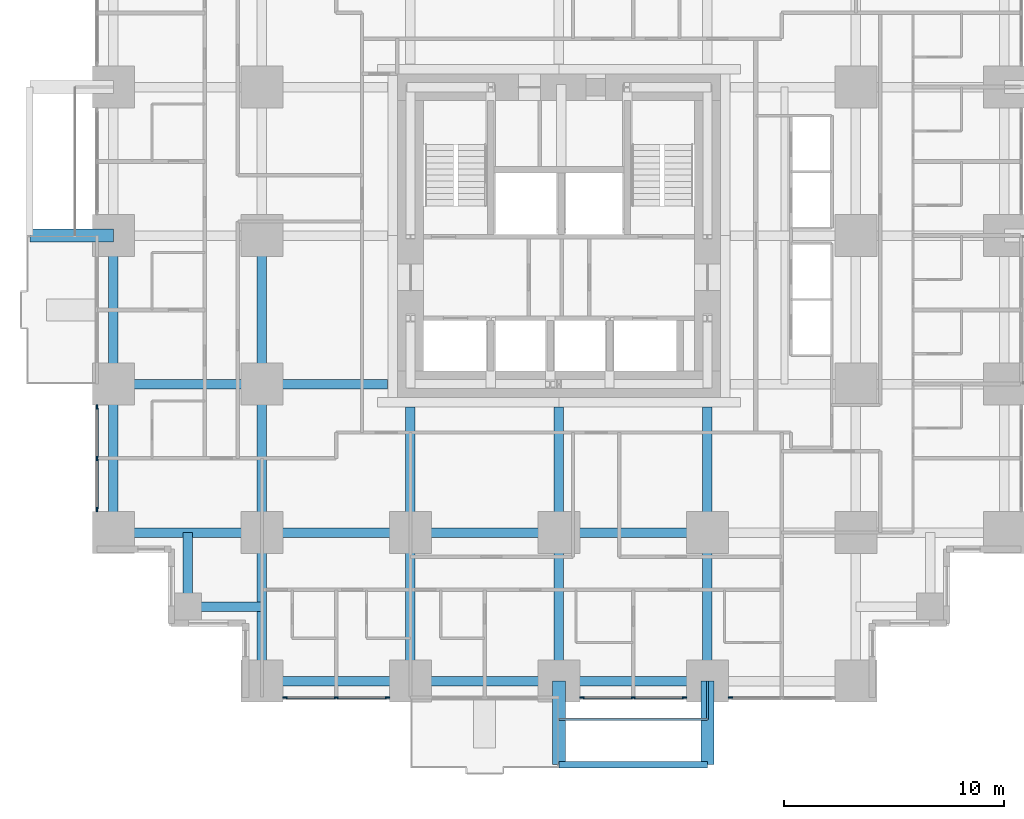
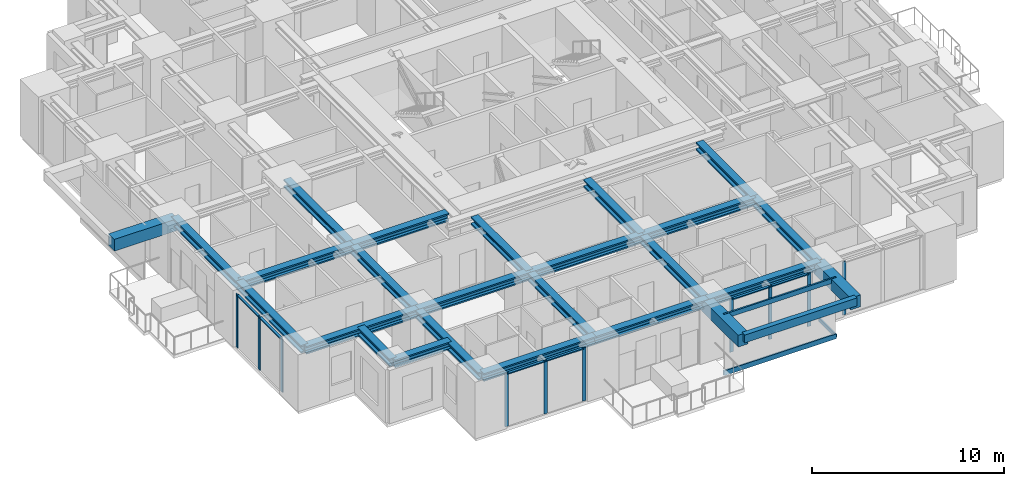
# One storey, part 2 of 15: 26 beams, 19 members, 4 elements without a shape of their own.
"""IFC4 building model written with IfcOpenShell, lengths in metres."""

from ifc_helpers import new_model, si_unit, direction, frame, origin, origin_2d, place, context, subcontext, project, spatial, rectangle, hollow_rectangle, i_section, extrude, material, material_profile, profile_set, type_object, element, aggregate, save


model = new_model("IFC4")

# Units and contexts
model_context = context("Model", 3, precision=1e-05, world=origin(), true_north=direction((0.0, 1.0)))
body_context = subcontext(model_context, "Body", "Model", "MODEL_VIEW")
ifc_project = project(units=[si_unit("LENGTHUNIT", "METRE"), si_unit("AREAUNIT", "SQUARE_METRE"), si_unit("VOLUMEUNIT", "CUBIC_METRE"), si_unit("PLANEANGLEUNIT", "RADIAN"), si_unit("MASSUNIT", "GRAM", prefix="KILO")], contexts=[model_context])

# Site, building, storey
site_placement = place(None, origin())
site = spatial("IfcSite", under=ifc_project, at=site_placement, CompositionType="ELEMENT")
building_placement = place(site_placement, origin())
building = spatial("IfcBuilding", under=site, at=building_placement, Name="Nyansa Garden Tower", CompositionType="ELEMENT")
storey_placement = place(building_placement, frame((0.0, 0.0, 25.199951171875)))
storey = spatial("IfcBuildingStorey", under=building, at=storey_placement, Name="L06", CompositionType="ELEMENT", Elevation=25.199951171875)

# Beams
ifc_material_1 = material(Name="Concrete C70/85", Category="concrete")
ifc_material_profile_1 = material_profile(ifc_material_1, rectangle(XDim=0.60009765625, YDim=0.75, at=origin_2d()), Name="RC 600x750")
ifc_profile_set_1 = profile_set([ifc_material_profile_1], Name="Concrete C70/85")
beam_type_1 = type_object("IfcBeamType", Name="Balcony cantilever beam CB1 RC 600x750", PredefinedType="BEAM", material=ifc_profile_set_1)
for number, where, z_axis, x_axis, name in (
    (1, (20.25, 0.0, 2.985107421875), (0.0, -1.0, 0.0), (1.0, 0.0, 0.0), "Balcony cantilever beam L07"),
    (2, (27.0, 0.0, 2.985107421875), (0.0, -1.0, 0.0), (1.0, 0.0, 0.0), "Balcony cantilever beam L07"),
    (3, (0.0, 20.25, 2.985107421875), (-1.0, 0.0, 0.0), (0.0, -1.0, 0.0), "Balcony cantilever beam L07"),
):
    element("IfcBeam", number, at=place(storey_placement, frame(where, z_axis=z_axis, x_axis=x_axis)), inside=storey, type_object=beam_type_1, Name=name, PredefinedType="BEAM", context=body_context, shape_type="SweptSolid", body=[
        extrude(rectangle(XDim=0.60009765625, YDim=0.75, at=origin_2d()), origin(), (0.0, 0.0, 1.0), 3.800048828125),
    ])
ifc_material_2 = material(Name="Concrete C70/85", Category="concrete")
ifc_material_profile_2 = material_profile(ifc_material_2, rectangle(XDim=0.300048828125, YDim=0.5, at=origin_2d()), Name="RC 300x500")
ifc_profile_set_2 = profile_set([ifc_material_profile_2], Name="Concrete C70/85")
beam_type_2 = type_object("IfcBeamType", Name="Balcony edge beam BE1 RC 300x500", PredefinedType="BEAM", material=ifc_profile_set_2)
beam_1_placement = place(storey_placement, frame((20.25, -3.800048828125, 3.110107421875), z_axis=(1.0, 0.0, 0.0), x_axis=(0.0, 1.0, 0.0)))
element("IfcBeam", 4, at=beam_1_placement, inside=storey, type_object=beam_type_2, Name="Balcony edge beam L07", PredefinedType="BEAM", context=body_context, shape_type="SweptSolid", body=[
    extrude(rectangle(XDim=0.300048828125, YDim=0.5, at=origin_2d()), origin(), (0.0, 0.0, 1.0), 6.75),
])

# Curtain wall, members
ifc_material_3 = material(Name="Black anodised aluminium, dark tinted double glazing", Category="aluminium")
curtain_wall_type = type_object("IfcCurtainWallType", Name="Inner skin curtain wall ISW-A", PredefinedType="USERDEFINED", material=ifc_material_3)
curtain_wall_1_placement = place(storey_placement, origin())
curtain_wall_1 = element("IfcCurtainWall", 5, at=curtain_wall_1_placement, inside=storey, type_object=curtain_wall_type, Name="Inner skin curtain wall L06 W", ObjectType="UNITISED CURTAIN WALL", PredefinedType="USERDEFINED")
ifc_material_4 = material(Name="Black anodised aluminium", Category="aluminium")
ifc_material_profile_3 = material_profile(ifc_material_4, rectangle(XDim=0.06494140625, YDim=0.199951171875, at=origin_2d()), Name="Mullion 200x65")
ifc_profile_set_3 = profile_set([ifc_material_profile_3], Name="Black anodised aluminium")
member_type_1 = type_object("IfcMemberType", Name="Mullion ISW-A 200x65", PredefinedType="MULLION", material=ifc_profile_set_3)
member_1_placement = place(storey_placement, frame((-0.75, 12.449951171875, 0.0), z_axis=(0.0, 0.0, 1.0), x_axis=(1.0, 0.0, 0.0)))
member_1 = element("IfcMember", 6, at=member_1_placement, type_object=member_type_1, Name="ISW-A mullion 1", PredefinedType="MULLION", context=body_context, shape_type="SweptSolid", body=[
    extrude(rectangle(XDim=0.06494140625, YDim=0.199951171875, at=origin_2d()), origin(), (0.0, 0.0, 1.0), 3.375),
])
member_2_placement = place(storey_placement, frame((-0.75, 10.125, 0.0), z_axis=(0.0, 0.0, 1.0), x_axis=(1.0, 0.0, 0.0)))
member_2 = element("IfcMember", 7, at=member_2_placement, type_object=member_type_1, Name="ISW-A mullion 2", PredefinedType="MULLION", context=body_context, shape_type="SweptSolid", body=[
    extrude(rectangle(XDim=0.06494140625, YDim=0.199951171875, at=origin_2d()), origin(), (0.0, 0.0, 1.0), 3.375),
])
member_3_placement = place(storey_placement, frame((-0.75, 7.800048828125, 0.0), z_axis=(0.0, 0.0, 1.0), x_axis=(1.0, 0.0, 0.0)))
member_3 = element("IfcMember", 8, at=member_3_placement, type_object=member_type_1, Name="ISW-A mullion 3", PredefinedType="MULLION", context=body_context, shape_type="SweptSolid", body=[
    extrude(rectangle(XDim=0.06494140625, YDim=0.199951171875, at=origin_2d()), origin(), (0.0, 0.0, 1.0), 3.375),
])

curtain_wall_2_placement = place(storey_placement, origin())
curtain_wall_2 = element("IfcCurtainWall", 9, at=curtain_wall_2_placement, inside=storey, type_object=curtain_wall_type, Name="Inner skin curtain wall L06 S", ObjectType="UNITISED CURTAIN WALL", PredefinedType="USERDEFINED")
member_4_placement = place(storey_placement, frame((7.800048828125, -0.75, 0.0), z_axis=(0.0, 0.0, 1.0), x_axis=(0.0, 1.0, 0.0)))
member_4 = element("IfcMember", 10, at=member_4_placement, type_object=member_type_1, Name="ISW-A mullion 1", PredefinedType="MULLION", context=body_context, shape_type="SweptSolid", body=[
    extrude(rectangle(XDim=0.06494140625, YDim=0.199951171875, at=origin_2d()), origin(), (0.0, 0.0, 1.0), 3.375),
])
member_5_placement = place(storey_placement, frame((10.125, -0.75, 0.0), z_axis=(0.0, 0.0, 1.0), x_axis=(0.0, 1.0, 0.0)))
member_5 = element("IfcMember", 11, at=member_5_placement, type_object=member_type_1, Name="ISW-A mullion 2", PredefinedType="MULLION", context=body_context, shape_type="SweptSolid", body=[
    extrude(rectangle(XDim=0.06494140625, YDim=0.199951171875, at=origin_2d()), origin(), (0.0, 0.0, 1.0), 3.375),
])
member_6_placement = place(storey_placement, frame((12.449951171875, -0.75, 0.0), z_axis=(0.0, 0.0, 1.0), x_axis=(0.0, 1.0, 0.0)))
member_6 = element("IfcMember", 12, at=member_6_placement, type_object=member_type_1, Name="ISW-A mullion 3", PredefinedType="MULLION", context=body_context, shape_type="SweptSolid", body=[
    extrude(rectangle(XDim=0.06494140625, YDim=0.199951171875, at=origin_2d()), origin(), (0.0, 0.0, 1.0), 3.375),
])

curtain_wall_3_placement = place(storey_placement, origin())
curtain_wall_3 = element("IfcCurtainWall", 13, at=curtain_wall_3_placement, inside=storey, type_object=curtain_wall_type, Name="Inner skin curtain wall L06 S", ObjectType="UNITISED CURTAIN WALL", PredefinedType="USERDEFINED")
member_7_placement = place(storey_placement, frame((21.300048828125, -0.75, 0.0), z_axis=(0.0, 0.0, 1.0), x_axis=(0.0, 1.0, 0.0)))
member_7 = element("IfcMember", 14, at=member_7_placement, type_object=member_type_1, Name="ISW-A mullion 1", PredefinedType="MULLION", context=body_context, shape_type="SweptSolid", body=[
    extrude(rectangle(XDim=0.06494140625, YDim=0.199951171875, at=origin_2d()), origin(), (0.0, 0.0, 1.0), 3.375),
])
member_8_placement = place(storey_placement, frame((23.625, -0.75, 0.0), z_axis=(0.0, 0.0, 1.0), x_axis=(0.0, 1.0, 0.0)))
member_8 = element("IfcMember", 15, at=member_8_placement, type_object=member_type_1, Name="ISW-A mullion 2", PredefinedType="MULLION", context=body_context, shape_type="SweptSolid", body=[
    extrude(rectangle(XDim=0.06494140625, YDim=0.199951171875, at=origin_2d()), origin(), (0.0, 0.0, 1.0), 3.375),
])
member_9_placement = place(storey_placement, frame((25.949951171875, -0.75, 0.0), z_axis=(0.0, 0.0, 1.0), x_axis=(0.0, 1.0, 0.0)))
member_9 = element("IfcMember", 16, at=member_9_placement, type_object=member_type_1, Name="ISW-A mullion 3", PredefinedType="MULLION", context=body_context, shape_type="SweptSolid", body=[
    extrude(rectangle(XDim=0.06494140625, YDim=0.199951171875, at=origin_2d()), origin(), (0.0, 0.0, 1.0), 3.375),
])

# Curtain wall, member
curtain_wall_4_placement = place(storey_placement, origin())
curtain_wall_4 = element("IfcCurtainWall", 17, at=curtain_wall_4_placement, inside=storey, type_object=curtain_wall_type, Name="Inner skin curtain wall L06 S", ObjectType="UNITISED CURTAIN WALL", PredefinedType="USERDEFINED")
member_10_placement = place(storey_placement, frame((28.050048828125, -0.75, 0.0), z_axis=(0.0, 0.0, 1.0), x_axis=(0.0, 1.0, 0.0)))
member_10 = element("IfcMember", 18, at=member_10_placement, type_object=member_type_1, Name="ISW-A mullion 1", PredefinedType="MULLION", context=body_context, shape_type="SweptSolid", body=[
    extrude(rectangle(XDim=0.06494140625, YDim=0.199951171875, at=origin_2d()), origin(), (0.0, 0.0, 1.0), 3.375),
])
aggregate(curtain_wall_4, [member_10])

# Members
ifc_material_5 = material(Name="Steel S355, black powder coated", Category="steel")
ifc_material_profile_4 = material_profile(ifc_material_5, hollow_rectangle(XDim=0.10009765625, YDim=0.199951171875, WallThickness=0.008056640625, at=origin_2d()), Name="RHS 200x100x8")
ifc_profile_set_4 = profile_set([ifc_material_profile_4], Name="Steel S355, black powder coated")
member_type_2 = type_object("IfcMemberType", Name="Outer skin bracket arm RHS 200x100x8", PredefinedType="USERDEFINED", material=ifc_profile_set_4)
member_11_placement = place(storey_placement, frame((27.0, 0.0, -0.375), z_axis=(0.0, -1.0, 0.0), x_axis=(1.0, 0.0, 0.0)))
element("IfcMember", 19, at=member_11_placement, inside=storey, type_object=member_type_2, Name="Outer skin bracket arm", ObjectType="OUTER SKIN BRACKET", PredefinedType="USERDEFINED", context=body_context, shape_type="SweptSolid", body=[
    extrude(hollow_rectangle(XDim=0.10009765625, YDim=0.199951171875, WallThickness=0.008056640625, at=origin_2d()), origin(), (0.0, 0.0, 1.0), 1.75),
])
ifc_material_6 = material(Name="Steel S355, black powder coated", Category="steel")
ifc_material_profile_5 = material_profile(ifc_material_6, hollow_rectangle(XDim=0.10009765625, YDim=0.300048828125, WallThickness=0.010009765625, at=origin_2d()), Name="RHS 300x100x10")
ifc_profile_set_5 = profile_set([ifc_material_profile_5], Name="Steel S355, black powder coated")
member_type_3 = type_object("IfcMemberType", Name="Outer skin rail RHS 300x100x10", PredefinedType="USERDEFINED", material=ifc_profile_set_5)
for number, where, z_axis, x_axis, name in (
    (20, (20.25, -1.75, -0.375), (1.0, 0.0, 0.0), (0.0, 1.0, 0.0), "Outer skin rail L06"),
    (21, (20.25, -1.75, 3.22509765625), (1.0, 0.0, 0.0), (0.0, 1.0, 0.0), "Outer skin rail L06 head"),
):
    element("IfcMember", number, at=place(storey_placement, frame(where, z_axis=z_axis, x_axis=x_axis)), inside=storey, type_object=member_type_3, Name=name, ObjectType="OUTER SKIN RAIL", PredefinedType="USERDEFINED", context=body_context, shape_type="SweptSolid", body=[
        extrude(hollow_rectangle(XDim=0.10009765625, YDim=0.300048828125, WallThickness=0.010009765625, at=origin_2d()), origin(), (0.0, 0.0, 1.0), 6.75),
    ])

# Beams
ifc_material_7 = material(Name="Steel S355", Category="steel")
ifc_material_profile_6 = material_profile(ifc_material_7, i_section(OverallWidth=0.431884765625, OverallDepth=0.498046875, WebThickness=0.0556640625, FlangeThickness=0.0888671875, FilletRadius=0.014892578125, at=origin_2d()), Name="HD 400x744")
ifc_profile_set_6 = profile_set([ifc_material_profile_6], Name="Steel S355")
beam_type_3 = type_object("IfcBeamType", Name="Steel beam SBA1-744 HD 400x744", PredefinedType="BEAM", material=ifc_profile_set_6)
for number, where, z_axis, x_axis, name in (
    (22, (0.0, 6.75, 3.1259765625), (1.0, 0.0, 0.0), (0.0, 1.0, 0.0), "Steel beam 2/E-3/E L07"),
    (23, (0.0, 13.5, 3.1259765625), (1.0, 0.0, 0.0), (0.0, 1.0, 0.0), "Steel beam 2/F-3/F L07"),
    (24, (6.75, 0.0, 3.1259765625), (0.0, 1.0, 0.0), (-1.0, 0.0, 0.0), "Steel beam 3/D-3/E L07"),
    (25, (6.75, 6.75, 3.1259765625), (0.0, 1.0, 0.0), (-1.0, 0.0, 0.0), "Steel beam 3/E-3/F L07"),
    (26, (6.75, 6.75, 3.1259765625), (1.0, 0.0, 0.0), (0.0, 1.0, 0.0), "Steel beam 3/E-4/E L07"),
    (27, (6.75, 13.5, 3.1259765625), (0.0, 1.0, 0.0), (-1.0, 0.0, 0.0), "Steel beam 3/F-3/G L07"),
):
    element("IfcBeam", number, at=place(storey_placement, frame(where, z_axis=z_axis, x_axis=x_axis)), inside=storey, type_object=beam_type_3, Name=name, PredefinedType="BEAM", context=body_context, shape_type="SweptSolid", body=[
        extrude(i_section(OverallWidth=0.431884765625, OverallDepth=0.498046875, WebThickness=0.0556640625, FlangeThickness=0.0888671875, FilletRadius=0.014892578125, at=origin_2d()), origin(), (0.0, 0.0, 1.0), 6.75),
    ])
beam_2_placement = place(storey_placement, frame((6.75, 13.5, 3.1259765625), z_axis=(1.0, 0.0, 0.0), x_axis=(0.0, 1.0, 0.0)))
element("IfcBeam", 28, at=beam_2_placement, inside=storey, type_object=beam_type_3, Name="Steel beam 3/F-12.450/F L07", PredefinedType="BEAM", context=body_context, shape_type="SweptSolid", body=[
    extrude(i_section(OverallWidth=0.431884765625, OverallDepth=0.498046875, WebThickness=0.0556640625, FlangeThickness=0.0888671875, FilletRadius=0.014892578125, at=origin_2d()), origin(), (0.0, 0.0, 1.0), 5.699951171875),
])
beam_3_placement = place(storey_placement, frame((13.5, 0.0, 3.1259765625), z_axis=(0.0, 1.0, 0.0), x_axis=(-1.0, 0.0, 0.0)))
element("IfcBeam", 29, at=beam_3_placement, inside=storey, type_object=beam_type_3, Name="Steel beam 4/D-4/E L07", PredefinedType="BEAM", context=body_context, shape_type="SweptSolid", body=[
    extrude(i_section(OverallWidth=0.431884765625, OverallDepth=0.498046875, WebThickness=0.0556640625, FlangeThickness=0.0888671875, FilletRadius=0.014892578125, at=origin_2d()), origin(), (0.0, 0.0, 1.0), 6.75),
])
beam_4_placement = place(storey_placement, frame((13.5, 6.75, 3.1259765625), z_axis=(0.0, 1.0, 0.0), x_axis=(-1.0, 0.0, 0.0)))
element("IfcBeam", 30, at=beam_4_placement, inside=storey, type_object=beam_type_3, Name="Steel beam 4/E-4/12.450 L07", PredefinedType="BEAM", context=body_context, shape_type="SweptSolid", body=[
    extrude(i_section(OverallWidth=0.431884765625, OverallDepth=0.498046875, WebThickness=0.0556640625, FlangeThickness=0.0888671875, FilletRadius=0.014892578125, at=origin_2d()), origin(), (0.0, 0.0, 1.0), 5.699951171875),
])
for number, where, z_axis, x_axis, name in (
    (31, (13.5, 6.75, 3.1259765625), (1.0, 0.0, 0.0), (0.0, 1.0, 0.0), "Steel beam 4/E-5/E L07"),
    (32, (20.25, 0.0, 3.1259765625), (0.0, 1.0, 0.0), (-1.0, 0.0, 0.0), "Steel beam 5/D-5/E L07"),
):
    element("IfcBeam", number, at=place(storey_placement, frame(where, z_axis=z_axis, x_axis=x_axis)), inside=storey, type_object=beam_type_3, Name=name, PredefinedType="BEAM", context=body_context, shape_type="SweptSolid", body=[
        extrude(i_section(OverallWidth=0.431884765625, OverallDepth=0.498046875, WebThickness=0.0556640625, FlangeThickness=0.0888671875, FilletRadius=0.014892578125, at=origin_2d()), origin(), (0.0, 0.0, 1.0), 6.75),
    ])
beam_5_placement = place(storey_placement, frame((20.25, 6.75, 3.1259765625), z_axis=(0.0, 1.0, 0.0), x_axis=(-1.0, 0.0, 0.0)))
element("IfcBeam", 33, at=beam_5_placement, inside=storey, type_object=beam_type_3, Name="Steel beam 5/E-5/12.450 L07", PredefinedType="BEAM", context=body_context, shape_type="SweptSolid", body=[
    extrude(i_section(OverallWidth=0.431884765625, OverallDepth=0.498046875, WebThickness=0.0556640625, FlangeThickness=0.0888671875, FilletRadius=0.014892578125, at=origin_2d()), origin(), (0.0, 0.0, 1.0), 5.699951171875),
])
for number, where, z_axis, x_axis, name in (
    (34, (20.25, 6.75, 3.1259765625), (1.0, 0.0, 0.0), (0.0, 1.0, 0.0), "Steel beam 5/E-6/E L07"),
    (35, (27.0, 0.0, 3.1259765625), (0.0, 1.0, 0.0), (-1.0, 0.0, 0.0), "Steel beam 6/D-6/E L07"),
):
    element("IfcBeam", number, at=place(storey_placement, frame(where, z_axis=z_axis, x_axis=x_axis)), inside=storey, type_object=beam_type_3, Name=name, PredefinedType="BEAM", context=body_context, shape_type="SweptSolid", body=[
        extrude(i_section(OverallWidth=0.431884765625, OverallDepth=0.498046875, WebThickness=0.0556640625, FlangeThickness=0.0888671875, FilletRadius=0.014892578125, at=origin_2d()), origin(), (0.0, 0.0, 1.0), 6.75),
    ])
beam_6_placement = place(storey_placement, frame((27.0, 6.75, 3.1259765625), z_axis=(0.0, 1.0, 0.0), x_axis=(-1.0, 0.0, 0.0)))
element("IfcBeam", 36, at=beam_6_placement, inside=storey, type_object=beam_type_3, Name="Steel beam 6/E-6/12.450 L07", PredefinedType="BEAM", context=body_context, shape_type="SweptSolid", body=[
    extrude(i_section(OverallWidth=0.431884765625, OverallDepth=0.498046875, WebThickness=0.0556640625, FlangeThickness=0.0888671875, FilletRadius=0.014892578125, at=origin_2d()), origin(), (0.0, 0.0, 1.0), 5.699951171875),
])
ifc_material_8 = material(Name="Steel S355", Category="steel")
ifc_material_profile_7 = material_profile(ifc_material_8, i_section(OverallWidth=0.431884765625, OverallDepth=0.498046875, WebThickness=0.0556640625, FlangeThickness=0.0888671875, FilletRadius=0.014892578125, at=origin_2d()), Name="HD 400x744")
ifc_profile_set_7 = profile_set([ifc_material_profile_7], Name="Steel S355")
beam_type_4 = type_object("IfcBeamType", Name="Steel beam SEBA-744 HD 400x744", PredefinedType="BEAM", material=ifc_profile_set_7)
for number, where, z_axis, x_axis, name in (
    (37, (0.0, 6.75, 3.1259765625), (0.0, 1.0, 0.0), (-1.0, 0.0, 0.0), "Steel edge beam 2/E-2/F L07"),
    (38, (0.0, 13.5, 3.1259765625), (0.0, 1.0, 0.0), (-1.0, 0.0, 0.0), "Steel edge beam 2/F-2/G L07"),
    (39, (6.75, 0.0, 3.1259765625), (1.0, 0.0, 0.0), (0.0, 1.0, 0.0), "Steel edge beam 3/D-4/D L07"),
    (40, (13.5, 0.0, 3.1259765625), (1.0, 0.0, 0.0), (0.0, 1.0, 0.0), "Steel edge beam 4/D-5/D L07"),
    (41, (20.25, 0.0, 3.1259765625), (1.0, 0.0, 0.0), (0.0, 1.0, 0.0), "Steel edge beam 5/D-6/D L07"),
):
    element("IfcBeam", number, at=place(storey_placement, frame(where, z_axis=z_axis, x_axis=x_axis)), inside=storey, type_object=beam_type_4, Name=name, PredefinedType="BEAM", context=body_context, shape_type="SweptSolid", body=[
        extrude(i_section(OverallWidth=0.431884765625, OverallDepth=0.498046875, WebThickness=0.0556640625, FlangeThickness=0.0888671875, FilletRadius=0.014892578125, at=origin_2d()), origin(), (0.0, 0.0, 1.0), 6.75),
    ])
ifc_material_9 = material(Name="Steel S355", Category="steel")
ifc_material_profile_8 = material_profile(ifc_material_9, i_section(OverallWidth=0.431884765625, OverallDepth=0.498046875, WebThickness=0.0556640625, FlangeThickness=0.0888671875, FilletRadius=0.014892578125, at=origin_2d()), Name="HD 400x744")
ifc_profile_set_8 = profile_set([ifc_material_profile_8], Name="Steel S355")
beam_type_5 = type_object("IfcBeamType", Name="Steel beam SSB1-744 HD 400x744", PredefinedType="BEAM", material=ifc_profile_set_8)
for number, where, z_axis, x_axis, name in (
    (42, (3.375, 3.375, 3.1259765625), (0.0, 1.0, 0.0), (-1.0, 0.0, 0.0), "Steel step beam 3.375/3.375 L07"),
    (43, (3.375, 3.375, 3.1259765625), (1.0, 0.0, 0.0), (0.0, 1.0, 0.0), "Steel step beam 3.375/3.375 L07"),
):
    element("IfcBeam", number, at=place(storey_placement, frame(where, z_axis=z_axis, x_axis=x_axis)), inside=storey, type_object=beam_type_5, Name=name, PredefinedType="BEAM", context=body_context, shape_type="SweptSolid", body=[
        extrude(i_section(OverallWidth=0.431884765625, OverallDepth=0.498046875, WebThickness=0.0556640625, FlangeThickness=0.0888671875, FilletRadius=0.014892578125, at=origin_2d()), origin(), (0.0, 0.0, 1.0), 3.375),
    ])

# Member
ifc_material_10 = material(Name="Black anodised aluminium", Category="aluminium")
ifc_material_profile_9 = material_profile(ifc_material_10, rectangle(XDim=0.14990234375, YDim=0.06494140625, at=origin_2d()), Name="Transom 150x65")
ifc_profile_set_9 = profile_set([ifc_material_profile_9], Name="Black anodised aluminium")
member_type_4 = type_object("IfcMemberType", Name="Transom ISW-A 150x65", PredefinedType="USERDEFINED", material=ifc_profile_set_9)
member_12_placement = place(storey_placement, frame((-0.75, 12.41748046875, 3.342529296875), z_axis=(0.0, -1.0, 0.0), x_axis=(1.0, 0.0, 0.0)))
member_12 = element("IfcMember", 44, at=member_12_placement, type_object=member_type_4, Name="ISW-A transom 1", ObjectType="TRANSOM", PredefinedType="USERDEFINED", context=body_context, shape_type="SweptSolid", body=[
    extrude(rectangle(XDim=0.14990234375, YDim=0.06494140625, at=origin_2d()), origin(), (0.0, 0.0, 1.0), 2.260009765625),
])

member_13_placement = place(storey_placement, frame((-0.75, 10.092529296875, 3.342529296875), z_axis=(0.0, -1.0, 0.0), x_axis=(1.0, 0.0, 0.0)))
member_13 = element("IfcMember", 45, at=member_13_placement, type_object=member_type_4, Name="ISW-A transom 2", ObjectType="TRANSOM", PredefinedType="USERDEFINED", context=body_context, shape_type="SweptSolid", body=[
    extrude(rectangle(XDim=0.14990234375, YDim=0.06494140625, at=origin_2d()), origin(), (0.0, 0.0, 1.0), 2.260009765625),
])

aggregate(curtain_wall_1, [member_1, member_2, member_3, member_12, member_13])

member_14_placement = place(storey_placement, frame((7.83251953125, -0.75, 3.342529296875), z_axis=(1.0, 0.0, 0.0), x_axis=(0.0, 1.0, 0.0)))
member_14 = element("IfcMember", 46, at=member_14_placement, type_object=member_type_4, Name="ISW-A transom 1", ObjectType="TRANSOM", PredefinedType="USERDEFINED", context=body_context, shape_type="SweptSolid", body=[
    extrude(rectangle(XDim=0.14990234375, YDim=0.06494140625, at=origin_2d()), origin(), (0.0, 0.0, 1.0), 2.260009765625),
])

member_15_placement = place(storey_placement, frame((10.157470703125, -0.75, 3.342529296875), z_axis=(1.0, 0.0, 0.0), x_axis=(0.0, 1.0, 0.0)))
member_15 = element("IfcMember", 47, at=member_15_placement, type_object=member_type_4, Name="ISW-A transom 2", ObjectType="TRANSOM", PredefinedType="USERDEFINED", context=body_context, shape_type="SweptSolid", body=[
    extrude(rectangle(XDim=0.14990234375, YDim=0.06494140625, at=origin_2d()), origin(), (0.0, 0.0, 1.0), 2.260009765625),
])

aggregate(curtain_wall_2, [member_4, member_5, member_6, member_14, member_15])

member_16_placement = place(storey_placement, frame((21.33251953125, -0.75, 3.342529296875), z_axis=(1.0, 0.0, 0.0), x_axis=(0.0, 1.0, 0.0)))
member_16 = element("IfcMember", 48, at=member_16_placement, type_object=member_type_4, Name="ISW-A transom 1", ObjectType="TRANSOM", PredefinedType="USERDEFINED", context=body_context, shape_type="SweptSolid", body=[
    extrude(rectangle(XDim=0.14990234375, YDim=0.06494140625, at=origin_2d()), origin(), (0.0, 0.0, 1.0), 2.260009765625),
])

member_17_placement = place(storey_placement, frame((23.657470703125, -0.75, 3.342529296875), z_axis=(1.0, 0.0, 0.0), x_axis=(0.0, 1.0, 0.0)))
member_17 = element("IfcMember", 49, at=member_17_placement, type_object=member_type_4, Name="ISW-A transom 2", ObjectType="TRANSOM", PredefinedType="USERDEFINED", context=body_context, shape_type="SweptSolid", body=[
    extrude(rectangle(XDim=0.14990234375, YDim=0.06494140625, at=origin_2d()), origin(), (0.0, 0.0, 1.0), 2.260009765625),
])

aggregate(curtain_wall_3, [member_7, member_8, member_9, member_16, member_17])

save(model, "model.ifc")
